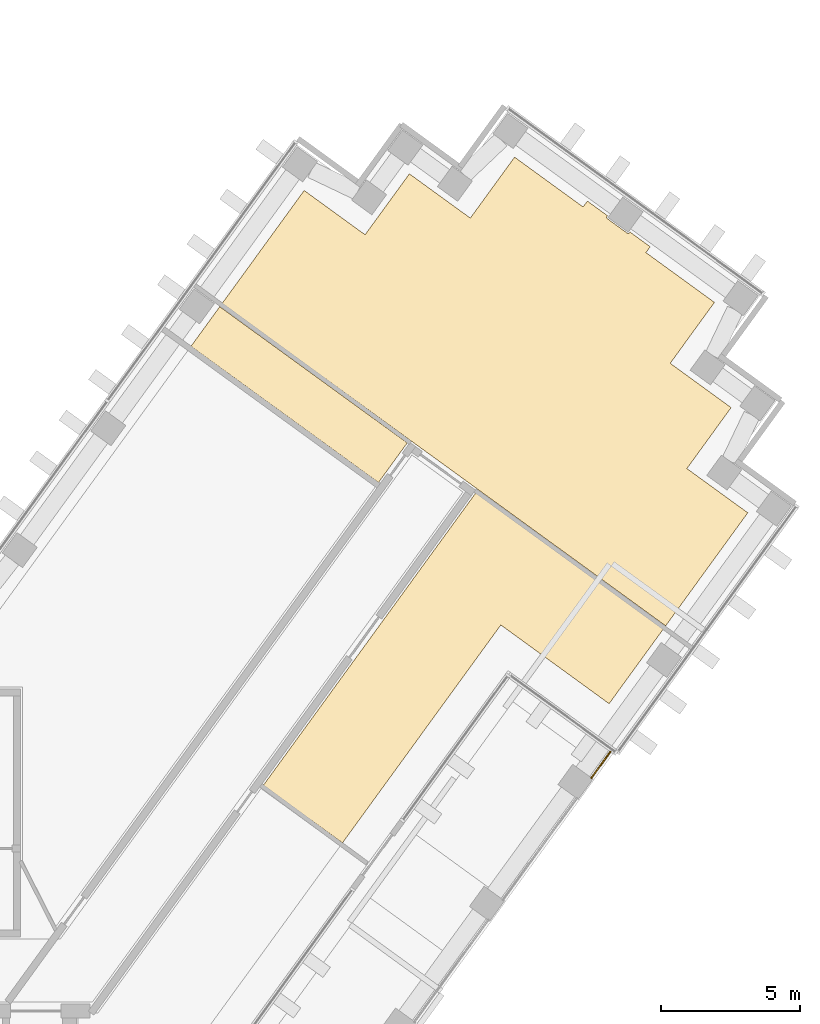
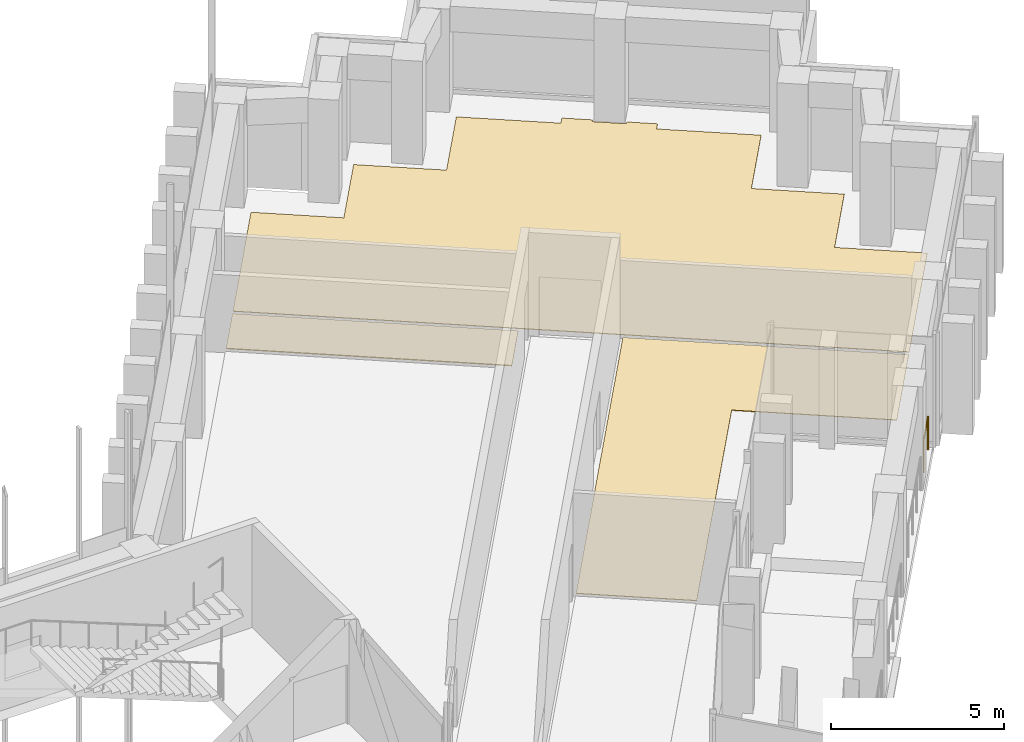
# One storey, part 17 of 17: 3 coverings, 1 railing.
"""IFC4 building model written with IfcOpenShell, lengths in metres."""

from ifc_helpers import new_model, si_unit, direction, frame, origin, origin_2d, place, context, subcontext, project, spatial, polyline, circle, outline, extrude, material, layer, layer_set, type_object, element, save


model = new_model("IFC4")

# Units and contexts
model_context = context("Model", 3, precision=1e-05, world=origin(), true_north=direction((0.0, 1.0)))
body_context = subcontext(model_context, "Body", "Model", "MODEL_VIEW")
ifc_project = project(units=[si_unit("LENGTHUNIT", "METRE"), si_unit("AREAUNIT", "SQUARE_METRE"), si_unit("VOLUMEUNIT", "CUBIC_METRE"), si_unit("PLANEANGLEUNIT", "RADIAN"), si_unit("MASSUNIT", "GRAM", prefix="KILO")], contexts=[model_context])

# Site, building, storey
site_placement = place(None, origin())
site = spatial("IfcSite", under=ifc_project, at=site_placement, CompositionType="ELEMENT")
building_placement = place(site_placement, origin())
building = spatial("IfcBuilding", under=site, at=building_placement, Name="Quipu Civic Tower", CompositionType="ELEMENT")
storey_placement = place(building_placement, frame((0.0, 0.0, 101.0)))
storey = spatial("IfcBuildingStorey", under=building, at=storey_placement, Name="L23", CompositionType="ELEMENT", Elevation=101.0)

# Coverings
ifc_material_1 = material(Name="Carpet tile on raised access floor")
ifc_layer_1 = layer(ifc_material_1, 0.02001953125)
ifc_layer_set_1 = layer_set([ifc_layer_1], Name="Carpet tile on raised access floor")
covering_type_1 = type_object("IfcCoveringType", Name="Carpet tile floor finish 20", PredefinedType="FLOORING", material=ifc_layer_set_1)
covering_1_placement = place(storey_placement, origin())
element("IfcCovering", 1, at=covering_1_placement, inside=storey, type_object=covering_type_1, Name="Carpet tile floor finish 20", PredefinedType="FLOORING", context=body_context, shape_type="SweptSolid", body=[
    extrude(outline(polyline([(26.705078125, 6.64208984375), (34.324951171875, 17.131103515625), (41.048095703125, 12.2470703125), (39.10302734375, 9.569091796875), (35.219970703125, 12.389892578125), (29.544921875, 4.580078125), (26.705078125, 6.64208984375)])), origin(), (0.0, 0.0, 1.0), 0.02001953125),
])
covering_2_placement = place(storey_placement, origin())
element("IfcCovering", 2, at=covering_2_placement, inside=storey, type_object=covering_type_1, Name="Carpet tile floor finish 20", PredefinedType="FLOORING", context=body_context, shape_type="SweptSolid", body=[
    extrude(outline(polyline([(25.22607421875, 23.916015625), (28.169921875, 27.968994140625), (30.35400390625, 26.383056640625), (31.94091796875, 28.56591796875), (34.126953125, 26.97998046875), (35.712890625, 29.1640625), (38.169921875, 27.37890625), (38.324951171875, 27.587890625), (39.044921875, 27.06396484375), (39.02197265625, 27.031982421875), (39.01904296875, 27.028076171875), (39.01708984375, 27.02294921875), (39.014892578125, 27.01904296875), (39.013916015625, 27.013916015625), (39.012939453125, 27.009033203125), (39.011962890625, 27.00390625), (39.011962890625, 27.0), (39.012939453125, 26.9951171875), (39.013916015625, 26.989990234375), (39.014892578125, 26.985107421875), (39.01708984375, 26.98095703125), (39.02001953125, 26.97607421875), (39.02197265625, 26.971923828125), (39.02490234375, 26.968994140625), (39.029052734375, 26.965087890625), (39.032958984375, 26.9619140625), (39.760986328125, 26.43310546875), (39.764892578125, 26.429931640625), (39.76904296875, 26.427978515625), (39.77392578125, 26.426025390625), (39.779052734375, 26.425048828125), (39.782958984375, 26.424072265625), (39.7880859375, 26.423095703125), (39.79296875, 26.424072265625), (39.798095703125, 26.424072265625), (39.802978515625, 26.425048828125), (39.80810546875, 26.427001953125), (39.81201171875, 26.427978515625), (39.81591796875, 26.430908203125), (39.820068359375, 26.43408203125), (39.823974609375, 26.43701171875), (39.827880859375, 26.43994140625), (39.8310546875, 26.444091796875), (39.85400390625, 26.47705078125), (40.574951171875, 25.952880859375), (40.424072265625, 25.740966796875), (42.881103515625, 23.95703125), (41.2939453125, 21.77294921875), (43.47802734375, 20.18505859375), (41.89208984375, 17.9990234375), (44.074951171875, 16.4140625), (41.131103515625, 12.360107421875), (25.22607421875, 23.916015625)])), origin(), (0.0, 0.0, 1.0), 0.02001953125),
])
ifc_material_2 = material(Name="Ceramic floor tile")
ifc_layer_2 = layer(ifc_material_2, 0.030029296875)
ifc_layer_set_2 = layer_set([ifc_layer_2], Name="Ceramic floor tile")
covering_type_2 = type_object("IfcCoveringType", Name="Ceramic tile floor finish 30", PredefinedType="FLOORING", material=ifc_layer_set_2)
covering_3_placement = place(storey_placement, origin())
element("IfcCovering", 3, at=covering_3_placement, inside=storey, type_object=covering_type_2, Name="Ceramic tile floor finish 30", PredefinedType="FLOORING", context=body_context, shape_type="SweptSolid", body=[
    extrude(outline(polyline([(24.112060546875, 22.382080078125), (25.14306640625, 23.802978515625), (31.865966796875, 18.9189453125), (30.8349609375, 17.4990234375), (24.112060546875, 22.382080078125)])), origin(), (0.0, 0.0, 1.0), 0.030029296875),
])

# Railing
ifc_material_3 = material(Name="Steel S275", Category="steel")
railing_type = type_object("IfcRailingType", Name="Terrace guard G1", PredefinedType="GUARDRAIL", material=ifc_material_3)
railing_placement = place(storey_placement, frame((38.46826171875, 6.909423828125, 0.0)))
element("IfcRailing", 4, at=railing_placement, inside=storey, type_object=railing_type, Name="Terrace guard L23.4", PredefinedType="GUARDRAIL", context=body_context, shape_type="SweptSolid", body=[
    extrude(circle(Radius=0.02490234375, at=origin_2d()), frame((0.0, 0.0, 1.1748046875), z_axis=(0.587857434607, 0.808964545933, 0.0), x_axis=(-0.808964545933, 0.587857434607, 0.0)), (0.0, 0.0, 1.0), 1.155029296875),
    extrude(circle(Radius=0.02490234375, at=origin_2d()), origin(), (0.0, 0.0, 1.0), 1.14990234375),
    extrude(circle(Radius=0.02490234375, at=origin_2d()), frame((0.678955078125, 0.934326171875, 0.0)), (0.0, 0.0, 1.0), 1.14990234375),
])

save(model, "model.ifc")
